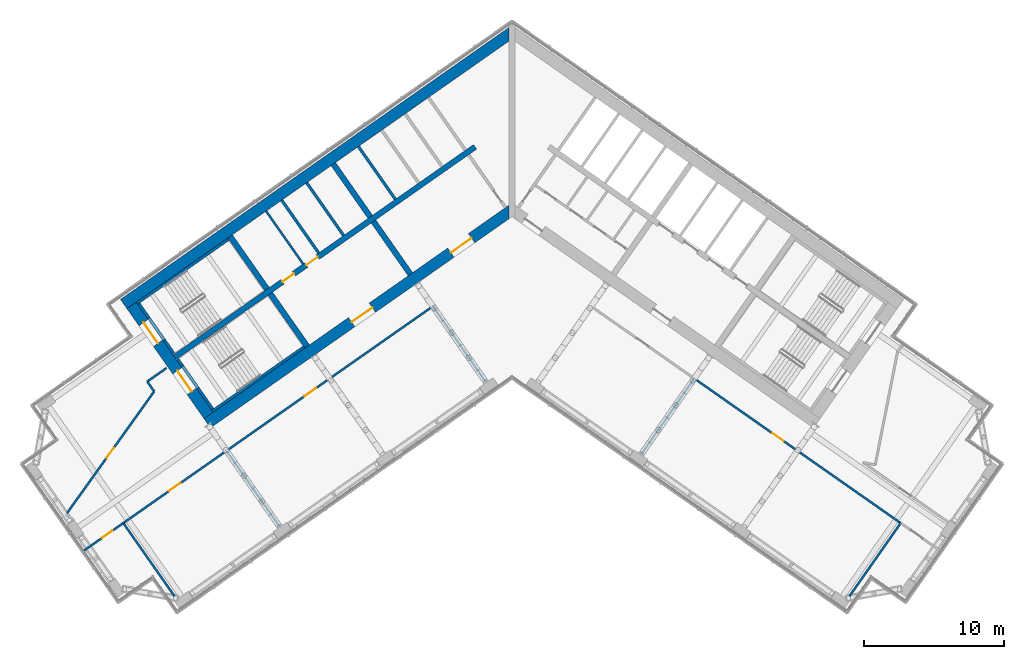
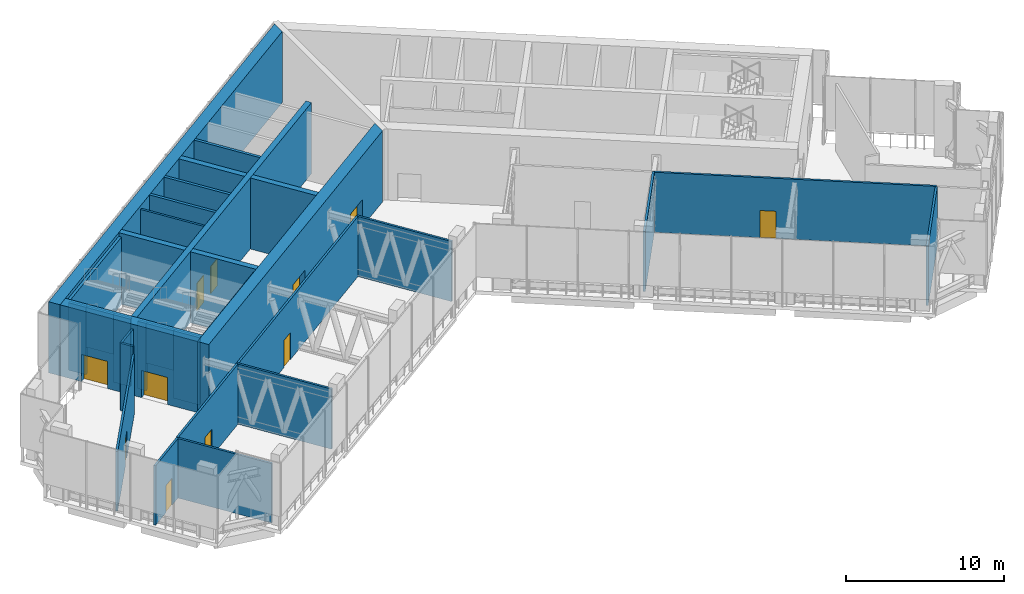
# One storey, part 4 of 19: 32 walls, 11 doors, 11 openings.
"""IFC4 building model written with IfcOpenShell, lengths in metres."""

from ifc_helpers import new_model, si_unit, direction, frame, frame_2d, origin, place, context, subcontext, project, spatial, polyline, rectangle, outline, extrude, material, layer, layer_set, type_object, element, fill, save


model = new_model("IFC4")

# Units and contexts
model_context = context("Model", 3, precision=1e-05, world=origin(), true_north=direction((0.0, 1.0)))
body_context = subcontext(model_context, "Body", "Model", "MODEL_VIEW")
ifc_project = project(units=[si_unit("LENGTHUNIT", "METRE"), si_unit("AREAUNIT", "SQUARE_METRE"), si_unit("VOLUMEUNIT", "CUBIC_METRE"), si_unit("PLANEANGLEUNIT", "RADIAN"), si_unit("MASSUNIT", "GRAM", prefix="KILO")], contexts=[model_context])

# Site, building, storey
site_placement = place(None, origin())
site = spatial("IfcSite", under=ifc_project, at=site_placement, CompositionType="ELEMENT")
building_placement = place(site_placement, origin())
building = spatial("IfcBuilding", under=site, at=building_placement, Name="Tel Ilan Convention Tower", CompositionType="ELEMENT")
storey_placement = place(building_placement, frame((0.0, 0.0, 213.89990234375)))
storey = spatial("IfcBuildingStorey", under=building, at=storey_placement, Name="L50", CompositionType="ELEMENT", Elevation=213.89990234375)

# Walls
ifc_material_1 = material(Name="Gypsum Plasterboard on Steel Stud", Category="steel")
ifc_layer_1 = layer(ifc_material_1, 0.14990234375)
ifc_layer_set_1 = layer_set([ifc_layer_1], Name="Core Room Partition Wall 150 mm EI 60")
wall_type_1 = type_object("IfcWallType", Name="Core Room Partition Wall 150 mm EI 60", PredefinedType="PARTITIONING", material=ifc_layer_set_1)
wall_1_placement = place(storey_placement, frame((-14.92578125, -4.59130859375, 0.0), z_axis=(0.0, 0.0, 1.0), x_axis=(-0.573576324356, 0.819152122709, 0.0)))
element("IfcWall", 1, at=wall_1_placement, inside=storey, type_object=wall_type_1, Name="L50 core wall bank-W2-split", PredefinedType="PARTITIONING", context=body_context, shape_type="SweptSolid", body=[
    extrude(rectangle(XDim=4.599853515625, YDim=0.14990234375, at=frame_2d((2.2998046875, 0.0))), origin(), (0.0, 0.0, 1.0), 5.22021484375),
])
ifc_material_2 = material(Name="Concrete C50/60", Category="concrete")
ifc_layer_2 = layer(ifc_material_2, 0.39990234375)
ifc_layer_set_2 = layer_set([ifc_layer_2], Name="Core Shear Wall 400 mm C50/60")
wall_type_2 = type_object("IfcWallType", Name="Core Shear Wall 400 mm C50/60", PredefinedType="SHEAR", material=ifc_layer_set_2)
wall_2_placement = place(storey_placement, frame((-7.2578125, -5.325927734375, 0.0), z_axis=(0.0, 0.0, 1.0), x_axis=(-0.573540709186, 0.819177059558, 0.0)))
element("IfcWall", 2, at=wall_2_placement, inside=storey, type_object=wall_type_2, Name="L50 core wall W-cross1-1", PredefinedType="SHEAR", context=body_context, shape_type="SweptSolid", body=[
    extrude(outline(polyline([(4.599853515625, 0.2001953125), (-0.000244140625, 0.199951171875), (-0.000244140625, -0.2001953125), (4.599853515625, -0.199951171875), (4.599853515625, 0.2001953125)])), origin(), (0.0, 0.0, 1.0), 5.5),
])
wall_3_placement = place(storey_placement, frame((-10.12548828125, -1.230224609375, 0.0), z_axis=(0.0, 0.0, 1.0), x_axis=(-0.573576324356, 0.819152122709, 0.0)))
element("IfcWall", 3, at=wall_3_placement, inside=storey, type_object=wall_type_2, Name="L50 core wall W-cross1-2", PredefinedType="SHEAR", context=body_context, shape_type="SweptSolid", body=[
    extrude(outline(polyline([(4.60009765625, -0.199951171875), (4.599853515625, 0.199951171875), (0.0, 0.2001953125), (0.0, -0.199951171875), (4.60009765625, -0.199951171875)])), origin(), (0.0, 0.0, 1.0), 5.5),
])
wall_4_placement = place(storey_placement, frame((-14.6298828125, -10.48828125, 0.0), z_axis=(0.0, 0.0, 1.0), x_axis=(-0.573611936273, 0.819127185829, 0.0)))
element("IfcWall", 4, at=wall_4_placement, inside=storey, type_object=wall_type_2, Name="L50 core wall W-cross2-1", PredefinedType="SHEAR", context=body_context, shape_type="SweptSolid", body=[
    extrude(outline(polyline([(4.60009765625, 0.199951171875), (0.000244140625, 0.2001953125), (0.000244140625, -0.199951171875), (4.60009765625, -0.2001953125), (4.60009765625, 0.199951171875)])), origin(), (0.0, 0.0, 1.0), 5.5),
])
wall_5_placement = place(storey_placement, frame((-17.497802734375, -6.392333984375, 0.0), z_axis=(0.0, 0.0, 1.0), x_axis=(-0.573611936273, 0.819127185829, 0.0)))
element("IfcWall", 5, at=wall_5_placement, inside=storey, type_object=wall_type_2, Name="L50 core wall W-cross2-2", PredefinedType="SHEAR", context=body_context, shape_type="SweptSolid", body=[
    extrude(outline(polyline([(4.599853515625, -0.2001953125), (4.599853515625, 0.199951171875), (0.0, 0.2001953125), (0.0, -0.199951171875), (4.599853515625, -0.2001953125)])), origin(), (0.0, 0.0, 1.0), 5.5),
])

# Wall, openings, doors
wall_6_placement = place(storey_placement, frame((-2.638427734375, 3.76806640625, 0.0), z_axis=(0.0, 0.0, 1.0), x_axis=(-0.81915267502, -0.573575535572, 0.0)))
wall_6 = element("IfcWall", 6, at=wall_6_placement, inside=storey, type_object=wall_type_2, Name="L50 core wall W-spine", PredefinedType="SHEAR", context=body_context, shape_type="SweptSolid", body=[
    extrude(outline(polyline([(26.199951171875, 0.199951171875), (0.0, 0.199951171875), (0.0, -0.199951171875), (26.199951171875, -0.199951171875), (26.199951171875, 0.199951171875)])), origin(), (0.0, 0.0, 1.0), 5.5),
])
opening_1_placement = place(wall_6_placement, frame((13.722412109375, 0.0, 0.0)))
opening_1 = element("IfcOpeningElement", 7, at=opening_1_placement, cuts=wall_6, Name="Opening CD3908", PredefinedType="OPENING", context=body_context, shape_type="SweptSolid", body=[
    extrude(rectangle(XDim=1.0, YDim=2.10009765625, at=frame_2d((0.5, 1.050048828125))), frame((0.0, 0.2099609375, 0.0), z_axis=(0.0, -1.0, 0.0), x_axis=(1.0, 0.0, 0.0)), (0.0, 0.0, 1.0), 0.419921875),
])
opening_2_placement = place(wall_6_placement, frame((15.797607421875, 0.0, 0.0)))
opening_2 = element("IfcOpeningElement", 8, at=opening_2_placement, cuts=wall_6, Name="Opening CD3909", PredefinedType="OPENING", context=body_context, shape_type="SweptSolid", body=[
    extrude(rectangle(XDim=1.0, YDim=2.10009765625, at=frame_2d((0.5, 1.050048828125))), frame((0.0, 0.2099609375, 0.0), z_axis=(0.0, -1.0, 0.0), x_axis=(1.0, 0.0, 0.0)), (0.0, 0.0, 1.0), 0.419921875),
])
ifc_material_3 = material(Name="Galvanised Steel Door Leaf", Category="steel")
door_type_1 = type_object("IfcDoorType", Name="Service Room Door 1000 x 2100 FD60", OperationType="NOTDEFINED", PredefinedType="DOOR", material=ifc_material_3)
door_1_placement = place(opening_1_placement, origin())
door_1 = element("IfcDoor", 9, at=door_1_placement, inside=storey, type_object=door_type_1, Name="Plant Room door", OperationType="SINGLE_SWING_RIGHT", OverallHeight=2.10009765625, OverallWidth=1.0, PredefinedType="DOOR", context=body_context, shape_type="SweptSolid", body=[
    extrude(rectangle(XDim=1.0, YDim=2.10009765625, at=frame_2d((0.5, 1.050048828125))), frame((0.0, 0.02490234375, 0.0), z_axis=(0.0, -1.0, 0.0), x_axis=(1.0, 0.0, 0.0)), (0.0, 0.0, 1.0), 0.050048828125),
])
fill(opening_1, door_1)
door_2_placement = place(opening_2_placement, origin())
door_2 = element("IfcDoor", 10, at=door_2_placement, inside=storey, type_object=door_type_1, Name="Plant Room door", OperationType="SINGLE_SWING_RIGHT", OverallHeight=2.10009765625, OverallWidth=1.0, PredefinedType="DOOR", context=body_context, shape_type="SweptSolid", body=[
    extrude(rectangle(XDim=1.0, YDim=2.10009765625, at=frame_2d((0.5, 1.050048828125))), frame((0.0, 0.02490234375, 0.0), z_axis=(0.0, -1.0, 0.0), x_axis=(1.0, 0.0, 0.0)), (0.0, 0.0, 1.0), 0.050048828125),
])
fill(opening_2, door_2)

# Wall
ifc_material_4 = material(Name="Concrete C50/60", Category="concrete")
ifc_layer_3 = layer(ifc_material_4, 0.800048828125)
ifc_layer_set_3 = layer_set([ifc_layer_3], Name="Core Shear Wall 800 mm C50/60")
wall_type_3 = type_object("IfcWallType", Name="Core Shear Wall 800 mm C50/60", PredefinedType="SHEAR", material=ifc_layer_set_3)
wall_7_placement = place(storey_placement, frame((0.029296875, 11.984130859375, 0.0), z_axis=(0.0, 0.0, 1.0), x_axis=(-0.819151382952, -0.573577380837, 0.0)))
element("IfcWall", 11, at=wall_7_placement, inside=storey, type_object=wall_type_3, Name="L50 core wall W-back", PredefinedType="SHEAR", context=body_context, shape_type="SweptSolid", body=[
    extrude(outline(polyline([(33.897705078125, 0.39990234375), (0.56005859375, 0.400146484375), (-0.000244140625, -0.39990234375), (33.897705078125, -0.400146484375), (33.897705078125, 0.39990234375)])), origin(), (0.0, 0.0, 1.0), 5.5),
])

# Wall, openings, doors
wall_8_placement = place(storey_placement, frame((0.029296875, -0.7119140625, 0.0), z_axis=(0.0, 0.0, 1.0), x_axis=(-0.819151758019, -0.573576845187, 0.0)))
wall_8 = element("IfcWall", 12, at=wall_8_placement, inside=storey, type_object=wall_type_3, Name="L50 core wall W-front", PredefinedType="SHEAR", context=body_context, shape_type="SweptSolid", body=[
    extrude(outline(polyline([(26.61572265625, 0.39990234375), (0.56005859375, 0.39990234375), (-0.000244140625, -0.39990234375), (26.61572265625, -0.39990234375), (26.61572265625, 0.39990234375)])), origin(), (0.0, 0.0, 1.0), 5.5),
])
opening_3_placement = place(wall_8_placement, frame((3.56591796875, 0.0, 0.0)))
opening_3 = element("IfcOpeningElement", 13, at=opening_3_placement, cuts=wall_8, Name="Opening CD3905", PredefinedType="OPENING", context=body_context, shape_type="SweptSolid", body=[
    extrude(rectangle(XDim=1.800048828125, YDim=2.10009765625, at=frame_2d((0.89990234375, 1.050048828125))), frame((0.0, 0.409912109375, 0.0), z_axis=(0.0, -1.0, 0.0), x_axis=(1.0, 0.0, 0.0)), (0.0, 0.0, 1.0), 0.820068359375),
])
opening_4_placement = place(wall_8_placement, frame((12.2158203125, 0.0, 0.0)))
opening_4 = element("IfcOpeningElement", 14, at=opening_4_placement, cuts=wall_8, Name="Opening CD3906", PredefinedType="OPENING", context=body_context, shape_type="SweptSolid", body=[
    extrude(rectangle(XDim=1.800048828125, YDim=2.10009765625, at=frame_2d((0.89990234375, 1.050048828125))), frame((0.0, 0.409912109375, 0.0), z_axis=(0.0, -1.0, 0.0), x_axis=(1.0, 0.0, 0.0)), (0.0, 0.0, 1.0), 0.820068359375),
])
ifc_material_5 = material(Name="Galvanised Steel Door Leaf", Category="steel")
door_type_2 = type_object("IfcDoorType", Name="Refuge Area Fire Door 1800 x 2100 FD60", OperationType="NOTDEFINED", PredefinedType="DOOR", material=ifc_material_5)
door_3_placement = place(opening_3_placement, origin())
door_3 = element("IfcDoor", 15, at=door_3_placement, inside=storey, type_object=door_type_2, Name="Refuge Area W1 door", OperationType="DOUBLE_DOOR_SINGLE_SWING", OverallHeight=2.10009765625, OverallWidth=1.800048828125, PredefinedType="DOOR", context=body_context, shape_type="SweptSolid", body=[
    extrude(rectangle(XDim=1.800048828125, YDim=2.10009765625, at=frame_2d((0.89990234375, 1.050048828125))), frame((0.0, 0.02490234375, 0.0), z_axis=(0.0, -1.0, 0.0), x_axis=(1.0, 0.0, 0.0)), (0.0, 0.0, 1.0), 0.050048828125),
])
fill(opening_3, door_3)
door_4_placement = place(opening_4_placement, origin())
door_4 = element("IfcDoor", 16, at=door_4_placement, inside=storey, type_object=door_type_2, Name="Refuge Area W2 door", OperationType="DOUBLE_DOOR_SINGLE_SWING", OverallHeight=2.10009765625, OverallWidth=1.800048828125, PredefinedType="DOOR", context=body_context, shape_type="SweptSolid", body=[
    extrude(rectangle(XDim=1.800048828125, YDim=2.10009765625, at=frame_2d((0.89990234375, 1.050048828125))), frame((0.0, 0.02490234375, 0.0), z_axis=(0.0, -1.0, 0.0), x_axis=(1.0, 0.0, 0.0)), (0.0, 0.0, 1.0), 0.050048828125),
])
fill(opening_4, door_4)

wall_9_placement = place(storey_placement, frame((-21.6748046875, -15.4208984375, 0.0), z_axis=(0.0, 0.0, 1.0), x_axis=(-0.573581815061, 0.819148278049, 0.0)))
wall_9 = element("IfcWall", 17, at=wall_9_placement, inside=storey, type_object=wall_type_3, Name="L50 core wall W-end", PredefinedType="SHEAR", context=body_context, shape_type="SweptSolid", body=[
    extrude(outline(polyline([(0.0, 0.39990234375), (0.0, -0.39990234375), (9.599853515625, -0.400146484375), (9.599853515625, 0.39990234375), (0.0, 0.39990234375)])), origin(), (0.0, 0.0, 1.0), 5.5),
])
opening_5_placement = place(wall_9_placement, frame((6.300048828125, 0.0, 0.0)))
opening_5 = element("IfcOpeningElement", 18, at=opening_5_placement, cuts=wall_9, Name="Opening SD3901", PredefinedType="OPENING", context=body_context, shape_type="SweptSolid", body=[
    extrude(rectangle(XDim=1.800048828125, YDim=2.10009765625, at=frame_2d((0.89990234375, 1.050048828125))), frame((0.0, 0.409912109375, 0.0), z_axis=(0.0, -1.0, 0.0), x_axis=(1.0, 0.0, 0.0)), (0.0, 0.0, 1.0), 0.820068359375),
])
opening_6_placement = place(wall_9_placement, frame((2.10009765625, 0.0, 0.0)))
opening_6 = element("IfcOpeningElement", 19, at=opening_6_placement, cuts=wall_9, Name="Opening SD3902", PredefinedType="OPENING", context=body_context, shape_type="SweptSolid", body=[
    extrude(rectangle(XDim=1.800048828125, YDim=2.10009765625, at=frame_2d((0.89990234375, 1.050048828125))), frame((0.0, 0.409912109375, 0.0), z_axis=(0.0, -1.0, 0.0), x_axis=(1.0, 0.0, 0.0)), (0.0, 0.0, 1.0), 0.820068359375),
])
ifc_material_6 = material(Name="Galvanised Steel Door Leaf", Category="steel")
door_type_3 = type_object("IfcDoorType", Name="Stair Fire Door 1800 x 2100 FD60S", OperationType="NOTDEFINED", PredefinedType="DOOR", material=ifc_material_6)
door_5_placement = place(opening_5_placement, origin())
door_5 = element("IfcDoor", 20, at=door_5_placement, inside=storey, type_object=door_type_3, Name="Stair S1 door", OperationType="DOUBLE_DOOR_SINGLE_SWING", OverallHeight=2.10009765625, OverallWidth=1.800048828125, PredefinedType="DOOR", context=body_context, shape_type="SweptSolid", body=[
    extrude(rectangle(XDim=1.800048828125, YDim=2.10009765625, at=frame_2d((0.89990234375, 1.050048828125))), frame((0.0, 0.02490234375, 0.0), z_axis=(0.0, -1.0, 0.0), x_axis=(1.0, 0.0, 0.0)), (0.0, 0.0, 1.0), 0.050048828125),
])
fill(opening_5, door_5)
door_6_placement = place(opening_6_placement, origin())
door_6 = element("IfcDoor", 21, at=door_6_placement, inside=storey, type_object=door_type_3, Name="Stair S2 door", OperationType="DOUBLE_DOOR_SINGLE_SWING", OverallHeight=2.10009765625, OverallWidth=1.800048828125, PredefinedType="DOOR", context=body_context, shape_type="SweptSolid", body=[
    extrude(rectangle(XDim=1.800048828125, YDim=2.10009765625, at=frame_2d((0.89990234375, 1.050048828125))), frame((0.0, 0.02490234375, 0.0), z_axis=(0.0, -1.0, 0.0), x_axis=(1.0, 0.0, 0.0)), (0.0, 0.0, 1.0), 0.050048828125),
])
fill(opening_6, door_6)

# Wall, opening, door
ifc_material_7 = material(Name="Plasterboard on Steel Studs", Category="steel")
ifc_layer_4 = layer(ifc_material_7, 0.14990234375)
ifc_layer_set_4 = layer_set([ifc_layer_4], Name="Fire-rated Partition 150 EI 60")
wall_type_4 = type_object("IfcWallType", Name="Fire-rated Partition 150 EI 60", PredefinedType="PARTITIONING", material=ifc_layer_set_4)
wall_10_placement = place(storey_placement, frame((27.7705078125, -23.107421875, 0.0), z_axis=(0.0, 0.0, 1.0), x_axis=(-0.81915291695, 0.57357519006, 0.0)))
wall_10 = element("IfcWall", 22, at=wall_10_placement, inside=storey, type_object=wall_type_4, Name="Partition 003", PredefinedType="PARTITIONING", context=body_context, shape_type="SweptSolid", body=[
    extrude(rectangle(XDim=18.00390625, YDim=0.14990234375, at=frame_2d((9.001953125, 0.0))), origin(), (0.0, 0.0, 1.0), 4.650146484375),
])
opening_7_placement = place(wall_10_placement, frame((10.201904296875, 0.0, 0.0)))
opening_7 = element("IfcOpeningElement", 23, at=opening_7_placement, cuts=wall_10, Name="Opening L50-005", PredefinedType="OPENING", context=body_context, shape_type="SweptSolid", body=[
    extrude(rectangle(XDim=1.0, YDim=2.10009765625, at=frame_2d((0.5, 1.050048828125))), frame((0.0, 0.0849609375, 0.0), z_axis=(0.0, -1.0, 0.0), x_axis=(1.0, 0.0, 0.0)), (0.0, 0.0, 1.0), 0.169921875),
])
ifc_material_8 = material(Name="Timber Door Leaf in Steel Frame", Category="steel")
door_type_4 = type_object("IfcDoorType", Name="Plant Room Fire Door 1000x2100", OperationType="NOTDEFINED", PredefinedType="DOOR", material=ifc_material_8)
door_7_placement = place(opening_7_placement, origin())
door_7 = element("IfcDoor", 24, at=door_7_placement, inside=storey, type_object=door_type_4, Name="Door L50-005", OperationType="SINGLE_SWING_RIGHT", OverallHeight=2.10009765625, OverallWidth=1.0, PredefinedType="DOOR", context=body_context, shape_type="SweptSolid", body=[
    extrude(rectangle(XDim=1.0, YDim=2.10009765625, at=frame_2d((0.5, 1.050048828125))), frame((0.0, 0.02490234375, 0.0), z_axis=(0.0, -1.0, 0.0), x_axis=(1.0, 0.0, 0.0)), (0.0, 0.0, 1.0), 0.050048828125),
])
fill(opening_7, door_7)

wall_11_placement = place(storey_placement, frame((-5.651611328125, -7.61962890625, 0.0), z_axis=(0.0, 0.0, 1.0), x_axis=(-0.819147172988, -0.573583393228, 0.0)))
wall_11 = element("IfcWall", 25, at=wall_11_placement, inside=storey, type_object=wall_type_4, Name="Partition 005", PredefinedType="PARTITIONING", context=body_context, shape_type="SweptSolid", body=[
    extrude(rectangle(XDim=18.001953125, YDim=0.14990234375, at=frame_2d((9.0009765625, 0.0))), origin(), (0.0, 0.0, 1.0), 4.650146484375),
])
opening_8_placement = place(wall_11_placement, frame((10.200927734375, 0.0, 0.0)))
opening_8 = element("IfcOpeningElement", 26, at=opening_8_placement, cuts=wall_11, Name="Opening L50-001", PredefinedType="OPENING", context=body_context, shape_type="SweptSolid", body=[
    extrude(rectangle(XDim=1.0, YDim=2.10009765625, at=frame_2d((0.5, 1.050048828125))), frame((0.0, 0.0849609375, 0.0), z_axis=(0.0, -1.0, 0.0), x_axis=(1.0, 0.0, 0.0)), (0.0, 0.0, 1.0), 0.169921875),
])
door_8_placement = place(opening_8_placement, origin())
door_8 = element("IfcDoor", 27, at=door_8_placement, inside=storey, type_object=door_type_4, Name="Door L50-001", OperationType="SINGLE_SWING_RIGHT", OverallHeight=2.10009765625, OverallWidth=1.0, PredefinedType="DOOR", context=body_context, shape_type="SweptSolid", body=[
    extrude(rectangle(XDim=1.0, YDim=2.10009765625, at=frame_2d((0.5, 1.050048828125))), frame((0.0, 0.02490234375, 0.0), z_axis=(0.0, -1.0, 0.0), x_axis=(1.0, 0.0, 0.0)), (0.0, 0.0, 1.0), 0.050048828125),
])
fill(opening_8, door_8)

wall_12_placement = place(storey_placement, frame((-20.394775390625, -17.94287109375, 0.0), z_axis=(0.0, 0.0, 1.0), x_axis=(-0.819151661297, -0.57357698332, 0.0)))
wall_12 = element("IfcWall", 28, at=wall_12_placement, inside=storey, type_object=wall_type_4, Name="Partition 006", PredefinedType="PARTITIONING", context=body_context, shape_type="SweptSolid", body=[
    extrude(rectangle(XDim=9.004150390625, YDim=0.14990234375, at=frame_2d((4.501953125, 0.0))), origin(), (0.0, 0.0, 1.0), 4.650146484375),
])
opening_9_placement = place(wall_12_placement, frame((4.001953125, 0.0, 0.0)))
opening_9 = element("IfcOpeningElement", 29, at=opening_9_placement, cuts=wall_12, Name="Opening L50-002", PredefinedType="OPENING", context=body_context, shape_type="SweptSolid", body=[
    extrude(rectangle(XDim=1.0, YDim=2.10009765625, at=frame_2d((0.5, 1.050048828125))), frame((0.0, 0.0849609375, 0.0), z_axis=(0.0, -1.0, 0.0), x_axis=(1.0, 0.0, 0.0)), (0.0, 0.0, 1.0), 0.169921875),
])
door_9_placement = place(opening_9_placement, origin())
door_9 = element("IfcDoor", 30, at=door_9_placement, inside=storey, type_object=door_type_4, Name="Door L50-002", OperationType="SINGLE_SWING_LEFT", OverallHeight=2.10009765625, OverallWidth=1.0, PredefinedType="DOOR", context=body_context, shape_type="SweptSolid", body=[
    extrude(rectangle(XDim=1.0, YDim=2.10009765625, at=frame_2d((0.5, 1.050048828125))), frame((0.0, 0.02490234375, 0.0), z_axis=(0.0, -1.0, 0.0), x_axis=(1.0, 0.0, 0.0)), (0.0, 0.0, 1.0), 0.050048828125),
])
fill(opening_9, door_9)

wall_13_placement = place(storey_placement, frame((-27.76708984375, -23.10498046875, 0.0), z_axis=(0.0, 0.0, 1.0), x_axis=(-0.819147629048, -0.573582741917, 0.0)))
wall_13 = element("IfcWall", 31, at=wall_13_placement, inside=storey, type_object=wall_type_4, Name="Partition 007", PredefinedType="PARTITIONING", context=body_context, shape_type="SweptSolid", body=[
    extrude(rectangle(XDim=3.402099609375, YDim=0.14990234375, at=frame_2d((1.701171875, 0.0))), origin(), (0.0, 0.0, 1.0), 4.60009765625),
])
opening_10_placement = place(wall_13_placement, frame((0.950927734375, 0.0, 0.0)))
opening_10 = element("IfcOpeningElement", 32, at=opening_10_placement, cuts=wall_13, Name="Opening L50-003", PredefinedType="OPENING", context=body_context, shape_type="SweptSolid", body=[
    extrude(rectangle(XDim=0.89990234375, YDim=2.10009765625, at=frame_2d((0.449951171875, 1.050048828125))), frame((0.0, 0.0849609375, 0.0), z_axis=(0.0, -1.0, 0.0), x_axis=(1.0, 0.0, 0.0)), (0.0, 0.0, 1.0), 0.169921875),
])
ifc_material_9 = material(Name="Timber Door Leaf in Steel Frame", Category="steel")
door_type_5 = type_object("IfcDoorType", Name="Riser and Service Fire Door 900x2100", OperationType="NOTDEFINED", PredefinedType="DOOR", material=ifc_material_9)
door_10_placement = place(opening_10_placement, origin())
door_10 = element("IfcDoor", 33, at=door_10_placement, inside=storey, type_object=door_type_5, Name="Door L50-003", OperationType="SINGLE_SWING_LEFT", OverallHeight=2.10009765625, OverallWidth=0.89990234375, PredefinedType="DOOR", context=body_context, shape_type="SweptSolid", body=[
    extrude(rectangle(XDim=0.89990234375, YDim=2.10009765625, at=frame_2d((0.449951171875, 1.050048828125))), frame((0.0, 0.02490234375, 0.0), z_axis=(0.0, -1.0, 0.0), x_axis=(1.0, 0.0, 0.0)), (0.0, 0.0, 1.0), 0.050048828125),
])
fill(opening_10, door_10)

# Walls
wall_14_placement = place(storey_placement, frame((13.02392578125, -12.78173828125, 0.0), z_axis=(0.0, 0.0, 1.0), x_axis=(-0.573556251799, -0.819166177294, 0.0)))
element("IfcWall", 34, at=wall_14_placement, inside=storey, type_object=wall_type_4, Name="Partition 011", PredefinedType="PARTITIONING", context=body_context, shape_type="SweptSolid", body=[
    extrude(rectangle(XDim=6.630126953125, YDim=0.14990234375, at=frame_2d((3.31494140625, 0.0))), origin(), (0.0, 0.0, 1.0), 4.650146484375),
])
wall_15_placement = place(storey_placement, frame((27.768798828125, -23.106201171875, 0.0), z_axis=(0.0, 0.0, 1.0), x_axis=(-0.57359826181, -0.819136761505, 0.0)))
element("IfcWall", 35, at=wall_15_placement, inside=storey, type_object=wall_type_4, Name="Partition 013", PredefinedType="PARTITIONING", context=body_context, shape_type="SweptSolid", body=[
    extrude(rectangle(XDim=6.630126953125, YDim=0.14990234375, at=frame_2d((3.31494140625, 0.0))), origin(), (0.0, 0.0, 1.0), 4.60009765625),
])
wall_16_placement = place(storey_placement, frame((-1.848876953125, -13.050537109375, 0.0), z_axis=(0.0, 0.0, 1.0), x_axis=(-0.573575988258, 0.819152358047, 0.0)))
element("IfcWall", 36, at=wall_16_placement, inside=storey, type_object=wall_type_4, Name="Partition 014", PredefinedType="PARTITIONING", context=body_context, shape_type="SweptSolid", body=[
    extrude(rectangle(XDim=6.632080078125, YDim=0.14990234375, at=frame_2d((3.31591796875, 0.0))), origin(), (0.0, 0.0, 1.0), 4.650146484375),
])
wall_17_placement = place(storey_placement, frame((-26.057861328125, -12.99658203125, 0.0), z_axis=(0.0, 0.0, 1.0), x_axis=(0.819109000826, 0.573637903879, 0.0)))
element("IfcWall", 37, at=wall_17_placement, inside=storey, type_object=wall_type_4, Name="Partition 015", PredefinedType="PARTITIONING", context=body_context, shape_type="SweptSolid", body=[
    extrude(rectangle(XDim=1.679931640625, YDim=0.14990234375, at=frame_2d((0.83984375, 0.0))), origin(), (0.0, 0.0, 1.0), 5.22021484375),
])

# Wall, opening, door
wall_18_placement = place(storey_placement, frame((-31.859375, -22.492431640625, 0.0), z_axis=(0.0, 0.0, 1.0), x_axis=(0.582344130558, 0.812942380249, 0.0)))
wall_18 = element("IfcWall", 38, at=wall_18_placement, inside=storey, type_object=wall_type_4, Name="Partition 017", PredefinedType="PARTITIONING", context=body_context, shape_type="SweptSolid", body=[
    extrude(rectangle(XDim=10.811767578125, YDim=0.14990234375, at=frame_2d((5.40576171875, 0.0))), origin(), (0.0, 0.0, 1.0), 4.60009765625),
])
opening_11_placement = place(wall_18_placement, frame((4.955810546875, 0.0, 0.0)))
opening_11 = element("IfcOpeningElement", 39, at=opening_11_placement, cuts=wall_18, Name="Opening L50-008", PredefinedType="OPENING", context=body_context, shape_type="SweptSolid", body=[
    extrude(rectangle(XDim=0.89990234375, YDim=2.10009765625, at=frame_2d((0.449951171875, 1.050048828125))), frame((0.0, 0.0849609375, 0.0), z_axis=(0.0, -1.0, 0.0), x_axis=(1.0, 0.0, 0.0)), (0.0, 0.0, 1.0), 0.169921875),
])
ifc_material_10 = material(Name="Timber Door Leaf in Steel Frame", Category="steel")
door_type_6 = type_object("IfcDoorType", Name="Room Fire Door 900x2100", OperationType="NOTDEFINED", PredefinedType="DOOR", material=ifc_material_10)
door_11_placement = place(opening_11_placement, origin())
door_11 = element("IfcDoor", 40, at=door_11_placement, inside=storey, type_object=door_type_6, Name="Door L50-008", OperationType="SINGLE_SWING_RIGHT", OverallHeight=2.10009765625, OverallWidth=0.89990234375, PredefinedType="DOOR", context=body_context, shape_type="SweptSolid", body=[
    extrude(rectangle(XDim=0.89990234375, YDim=2.10009765625, at=frame_2d((0.449951171875, 1.050048828125))), frame((0.0, 0.02490234375, 0.0), z_axis=(0.0, -1.0, 0.0), x_axis=(1.0, 0.0, 0.0)), (0.0, 0.0, 1.0), 0.050048828125),
])
fill(opening_11, door_11)

# Walls
wall_19_placement = place(storey_placement, frame((-25.563232421875, -13.703125, 0.0), z_axis=(0.0, 0.0, 1.0), x_axis=(-0.573500339754, 0.819205322433, 0.0)))
element("IfcWall", 41, at=wall_19_placement, inside=storey, type_object=wall_type_4, Name="Partition 018", PredefinedType="PARTITIONING", context=body_context, shape_type="SweptSolid", body=[
    extrude(rectangle(XDim=0.862548828125, YDim=0.14990234375, at=frame_2d((0.43115234375, 0.0))), origin(), (0.0, 0.0, 1.0), 5.22021484375),
])
wall_20_placement = place(storey_placement, frame((-16.593505859375, -23.375, 0.0), z_axis=(0.0, 0.0, 1.0), x_axis=(-0.57359826181, 0.819136761505, 0.0)))
element("IfcWall", 42, at=wall_20_placement, inside=storey, type_object=wall_type_4, Name="Partition 019", PredefinedType="PARTITIONING", context=body_context, shape_type="SweptSolid", body=[
    extrude(rectangle(XDim=6.630126953125, YDim=0.14990234375, at=frame_2d((3.31494140625, 0.0))), origin(), (0.0, 0.0, 1.0), 4.650146484375),
])
wall_21_placement = place(storey_placement, frame((-23.9658203125, -28.537109375, 0.0), z_axis=(0.0, 0.0, 1.0), x_axis=(-0.57359826181, 0.819136761505, 0.0)))
element("IfcWall", 43, at=wall_21_placement, inside=storey, type_object=wall_type_4, Name="Partition 020", PredefinedType="PARTITIONING", context=body_context, shape_type="SweptSolid", body=[
    extrude(rectangle(XDim=6.630126953125, YDim=0.14990234375, at=frame_2d((3.31494140625, 0.0))), origin(), (0.0, 0.0, 1.0), 4.60009765625),
])
ifc_material_11 = material(Name="Concrete C30/37", Category="concrete")
ifc_layer_5 = layer(ifc_material_11, 0.199951171875)
ifc_layer_set_5 = layer_set([ifc_layer_5], Name="Lift Shaft Wall 200 mm C30/37")
wall_type_5 = type_object("IfcWallType", Name="Lift Shaft Wall 200 mm C30/37", PredefinedType="SOLIDWALL", material=ifc_layer_set_5)
wall_22_placement = place(storey_placement, frame((-8.33349609375, 0.0244140625, 0.0), z_axis=(0.0, 0.0, 1.0), x_axis=(-0.573611936273, 0.819127185829, 0.0)))
element("IfcWall", 44, at=wall_22_placement, inside=storey, type_object=wall_type_5, Name="L50 core wall bank-W1-p2", PredefinedType="SOLIDWALL", context=body_context, shape_type="SweptSolid", body=[
    extrude(rectangle(XDim=4.60009765625, YDim=0.199951171875, at=frame_2d((2.300048828125, 0.0))), origin(), (0.0, 0.0, 1.0), 5.5),
])
for number, where, z_axis, x_axis, name in (
    (45, (-12.030029296875, -2.563720703125, 0.0), (0.0, 0.0, 1.0), (-0.573576324356, 0.819152122709, 0.0), "L50 core wall bank-W2-p0"),
    (46, (-13.811767578125, -3.811279296875, 0.0), (0.0, 0.0, 1.0), (-0.573576324356, 0.819152122709, 0.0), "L50 core wall bank-W2-p1"),
):
    element("IfcWall", number, at=place(storey_placement, frame(where, z_axis=z_axis, x_axis=x_axis)), inside=storey, type_object=wall_type_5, Name=name, PredefinedType="SOLIDWALL", context=body_context, shape_type="SweptSolid", body=[
        extrude(rectangle(XDim=4.599853515625, YDim=0.199951171875, at=frame_2d((2.2998046875, 0.0))), origin(), (0.0, 0.0, 1.0), 5.5),
    ])
ifc_material_12 = material(Name="Concrete C30/37", Category="concrete")
ifc_layer_6 = layer(ifc_material_12, 0.199951171875)
ifc_layer_set_6 = layer_set([ifc_layer_6], Name="Stair and Shaft Lining Wall 200 mm C30/37")
wall_type_6 = type_object("IfcWallType", Name="Stair and Shaft Lining Wall 200 mm C30/37", PredefinedType="SOLIDWALL", material=ifc_layer_set_6)
wall_23_placement = place(storey_placement, frame((-20.242919921875, -2.821044921875, 0.0), z_axis=(0.0, 0.0, 1.0), x_axis=(-0.819141584393, -0.57359137434, 0.0)))
element("IfcWall", 47, at=wall_23_placement, inside=storey, type_object=wall_type_6, Name="L50 core wall lining-S1-t1", PredefinedType="SOLIDWALL", context=body_context, shape_type="SweptSolid", body=[
    extrude(rectangle(XDim=7.999755859375, YDim=0.199951171875, at=frame_2d((4.0, 0.0))), origin(), (0.0, 0.0, 1.0), 5.22021484375),
])
wall_24_placement = place(storey_placement, frame((-24.16162109375, -10.99755859375, 0.0), z_axis=(0.0, 0.0, 1.0), x_axis=(-0.573612502218, 0.819126789514, 0.0)))
element("IfcWall", 48, at=wall_24_placement, inside=storey, type_object=wall_type_6, Name="L50 core wall lining-S1-u1-0", PredefinedType="SOLIDWALL", context=body_context, shape_type="SweptSolid", body=[
    extrude(rectangle(XDim=1.2001953125, YDim=0.199951171875, at=frame_2d((0.60009765625, 0.0))), origin(), (0.0, 0.0, 1.0), 5.22021484375),
])
wall_25_placement = place(storey_placement, frame((-25.939697265625, -8.4580078125, 0.0), z_axis=(0.0, 0.0, 1.0), x_axis=(-0.573619628835, 0.819121798889, 0.0)))
element("IfcWall", 49, at=wall_25_placement, inside=storey, type_object=wall_type_6, Name="L50 core wall lining-S1-u1-1", PredefinedType="SOLIDWALL", context=body_context, shape_type="SweptSolid", body=[
    extrude(rectangle(XDim=1.25, YDim=0.199951171875, at=frame_2d((0.625, 0.0))), origin(), (0.0, 0.0, 1.0), 5.22021484375),
])
wall_26_placement = place(storey_placement, frame((-24.85009765625, -10.014404296875, 2.150146484375), z_axis=(0.0, 0.0, 1.0), x_axis=(-0.573505465124, 0.819201734296, 0.0)))
element("IfcWall", 50, at=wall_26_placement, inside=storey, type_object=wall_type_6, Name="L50 core wall lining-S1-u1-lintel", PredefinedType="SOLIDWALL", context=body_context, shape_type="SweptSolid", body=[
    extrude(rectangle(XDim=1.89990234375, YDim=0.199951171875, at=frame_2d((0.949951171875, 0.0))), origin(), (0.0, 0.0, 1.0), 3.070068359375),
])
wall_27_placement = place(storey_placement, frame((-14.851318359375, -10.52099609375, 0.0), z_axis=(0.0, 0.0, 1.0), x_axis=(-0.819141584393, -0.57359137434, 0.0)))
element("IfcWall", 51, at=wall_27_placement, inside=storey, type_object=wall_type_6, Name="L50 core wall lining-S2-t0", PredefinedType="SOLIDWALL", context=body_context, shape_type="SweptSolid", body=[
    extrude(rectangle(XDim=7.999755859375, YDim=0.199951171875, at=frame_2d((4.0, 0.0))), origin(), (0.0, 0.0, 1.0), 5.22021484375),
])
wall_28_placement = place(storey_placement, frame((-21.3798828125, -14.97021484375, 0.0), z_axis=(0.0, 0.0, 1.0), x_axis=(-0.573559770908, 0.819163713305, 0.0)))
element("IfcWall", 52, at=wall_28_placement, inside=storey, type_object=wall_type_6, Name="L50 core wall lining-S2-u1-0", PredefinedType="SOLIDWALL", context=body_context, shape_type="SweptSolid", body=[
    extrude(rectangle(XDim=1.849853515625, YDim=0.199951171875, at=frame_2d((0.9248046875, 0.0))), origin(), (0.0, 0.0, 1.0), 5.22021484375),
])
wall_29_placement = place(storey_placement, frame((-23.53076171875, -11.8984375, 0.0), z_axis=(0.0, 0.0, 1.0), x_axis=(-0.573708088123, 0.819059844958, 0.0)))
element("IfcWall", 53, at=wall_29_placement, inside=storey, type_object=wall_type_6, Name="L50 core wall lining-S2-u1-1", PredefinedType="SOLIDWALL", context=body_context, shape_type="SweptSolid", body=[
    extrude(rectangle(XDim=0.60009765625, YDim=0.199951171875, at=frame_2d((0.300048828125, 0.0))), origin(), (0.0, 0.0, 1.0), 5.22021484375),
])
wall_30_placement = place(storey_placement, frame((-22.44091796875, -13.454833984375, 2.150146484375), z_axis=(0.0, 0.0, 1.0), x_axis=(-0.573591692345, 0.819141361715, 0.0)))
element("IfcWall", 54, at=wall_30_placement, inside=storey, type_object=wall_type_6, Name="L50 core wall lining-S2-u1-lintel", PredefinedType="SOLIDWALL", context=body_context, shape_type="SweptSolid", body=[
    extrude(rectangle(XDim=1.900146484375, YDim=0.199951171875, at=frame_2d((0.9501953125, 0.0))), origin(), (0.0, 0.0, 1.0), 3.070068359375),
])

save(model, "model.ifc")
